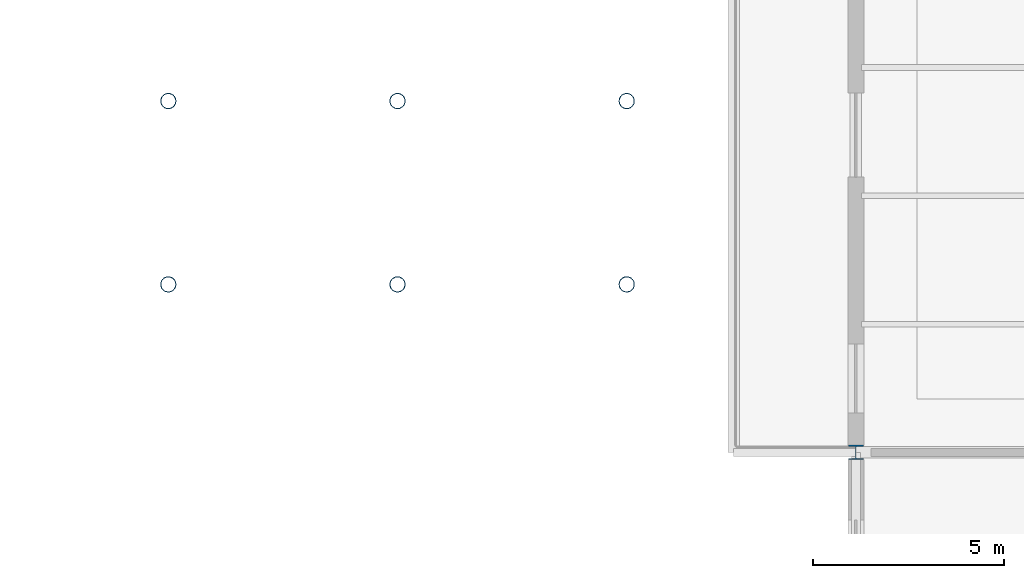
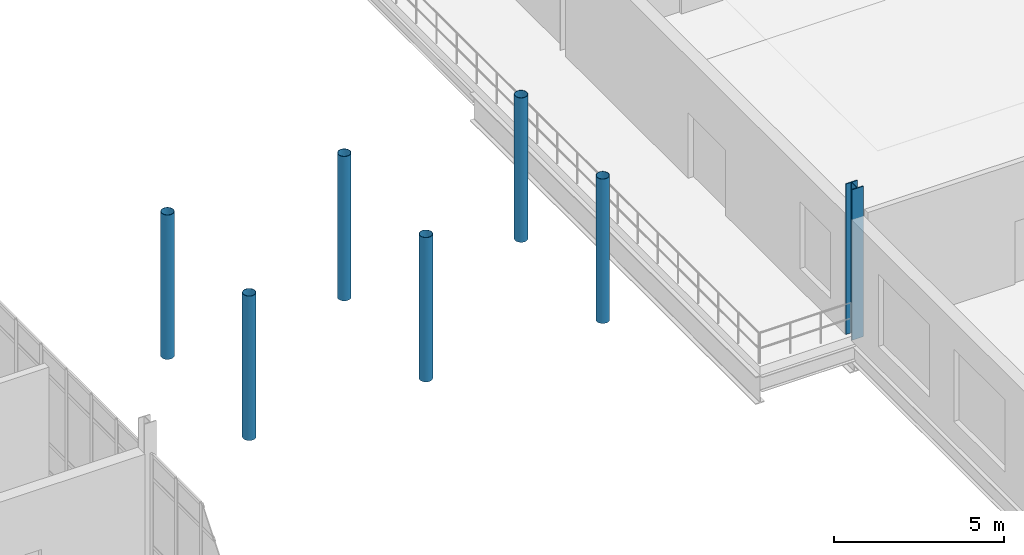
# One storey, part 5 of 111: 7 columns.
"""IFC4 building model written with IfcOpenShell, lengths in metres."""

from ifc_helpers import new_model, si_unit, direction, frame, origin, origin_2d, place, context, subcontext, project, spatial, hollow_circle, i_section, extrude, material, material_profile, profile_set, type_object, element, save


model = new_model("IFC4")

# Units and contexts
model_context = context("Model", 3, precision=1e-05, world=origin(), true_north=direction((0.0, 1.0)))
body_context = subcontext(model_context, "Body", "Model", "MODEL_VIEW")
ifc_project = project(units=[si_unit("LENGTHUNIT", "METRE"), si_unit("AREAUNIT", "SQUARE_METRE"), si_unit("VOLUMEUNIT", "CUBIC_METRE"), si_unit("PLANEANGLEUNIT", "RADIAN"), si_unit("MASSUNIT", "GRAM", prefix="KILO"), si_unit("THERMODYNAMICTEMPERATUREUNIT", "KELVIN"), si_unit("POWERUNIT", "WATT")], contexts=[model_context])

# Site, building, storey
site_placement = place(None, origin())
site = spatial("IfcSite", under=ifc_project, at=site_placement, CompositionType="ELEMENT")
building_placement = place(site_placement, origin())
building = spatial("IfcBuilding", under=site, at=building_placement, Name="Tembeka Court Mobility Hub", CompositionType="ELEMENT")
storey_placement = place(building_placement, origin())
storey = spatial("IfcBuildingStorey", under=building, at=storey_placement, Name="L00", CompositionType="ELEMENT", Elevation=0.0)

# Columns
ifc_material = material(Name="Steel S355", Category="steel")
ifc_material_profile_1 = material_profile(ifc_material, i_section(OverallWidth=0.39501953125, OverallDepth=0.381103515625, WebThickness=0.018310546875, FlangeThickness=0.0302734375, FilletRadius=0.01513671875, at=origin_2d()), Name="UKC 356x406x235")
ifc_profile_set_1 = profile_set([ifc_material_profile_1], Name="Steel S355")
column_type_1 = type_object("IfcColumnType", Name="COL-C02", PredefinedType="COLUMN", material=ifc_profile_set_1)
column_placement = place(storey_placement, frame((116.39990234375, 21.60009765625, 0.0), z_axis=(0.0, 0.0, 1.0), x_axis=(1.0, 0.0, 0.0)))
element("IfcColumn", 1, at=column_placement, inside=storey, type_object=column_type_1, Name="Column C02 (L00-158)", PredefinedType="COLUMN", context=body_context, shape_type="SweptSolid", body=[
    extrude(i_section(OverallWidth=0.39501953125, OverallDepth=0.381103515625, WebThickness=0.018310546875, FlangeThickness=0.0302734375, FilletRadius=0.01513671875, at=origin_2d()), origin(), (0.0, 0.0, 1.0), 5.39990234375),
])
ifc_material_profile_2 = material_profile(ifc_material, hollow_circle(Radius=0.203125, WallThickness=0.012451171875, at=origin_2d()), Name="CHS 406.4x12.5")
ifc_profile_set_2 = profile_set([ifc_material_profile_2], Name="Steel S355")
column_type_2 = type_object("IfcColumnType", Name="COL-C09", PredefinedType="COLUMN", material=ifc_profile_set_2)
for number, where, z_axis, x_axis, name in (
    (2, (98.39990234375, 26.0, 0.0), (0.0, 0.0, 1.0), (1.0, 0.0, 0.0), "Column C09 (L00-141)"),
    (3, (98.39990234375, 30.800048828125, 0.0), (0.0, 0.0, 1.0), (1.0, 0.0, 0.0), "Column C09 (L00-142)"),
    (4, (104.39990234375, 26.0, 0.0), (0.0, 0.0, 1.0), (1.0, 0.0, 0.0), "Column C09 (L00-145)"),
    (5, (104.39990234375, 30.800048828125, 0.0), (0.0, 0.0, 1.0), (1.0, 0.0, 0.0), "Column C09 (L00-146)"),
    (6, (110.39990234375, 26.0, 0.0), (0.0, 0.0, 1.0), (1.0, 0.0, 0.0), "Column C09 (L00-149)"),
    (7, (110.39990234375, 30.800048828125, 0.0), (0.0, 0.0, 1.0), (1.0, 0.0, 0.0), "Column C09 (L00-150)"),
):
    element("IfcColumn", number, at=place(storey_placement, frame(where, z_axis=z_axis, x_axis=x_axis)), inside=storey, type_object=column_type_2, Name=name, PredefinedType="COLUMN", context=body_context, shape_type="SweptSolid", body=[
        extrude(hollow_circle(Radius=0.203125, WallThickness=0.012451171875, at=origin_2d()), origin(), (0.0, 0.0, 1.0), 5.179931640625),
    ])

save(model, "model.ifc")
